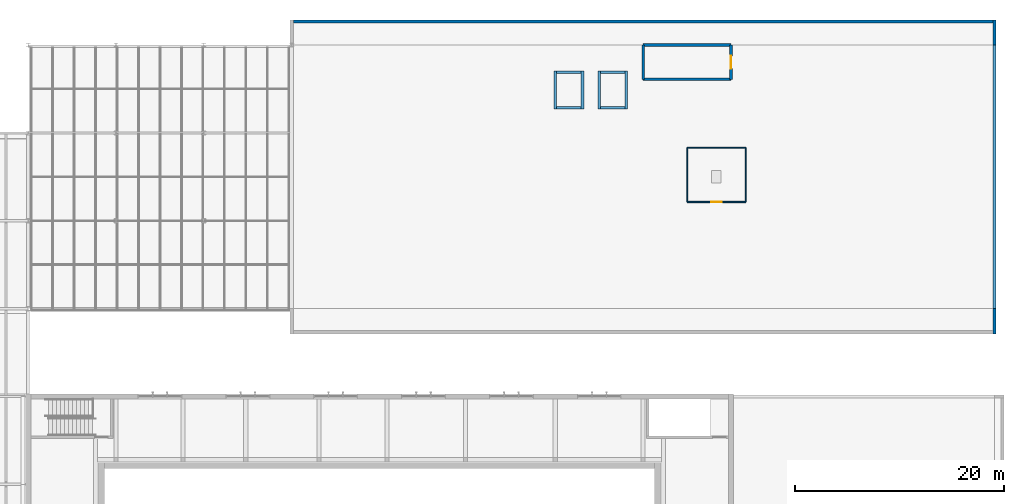
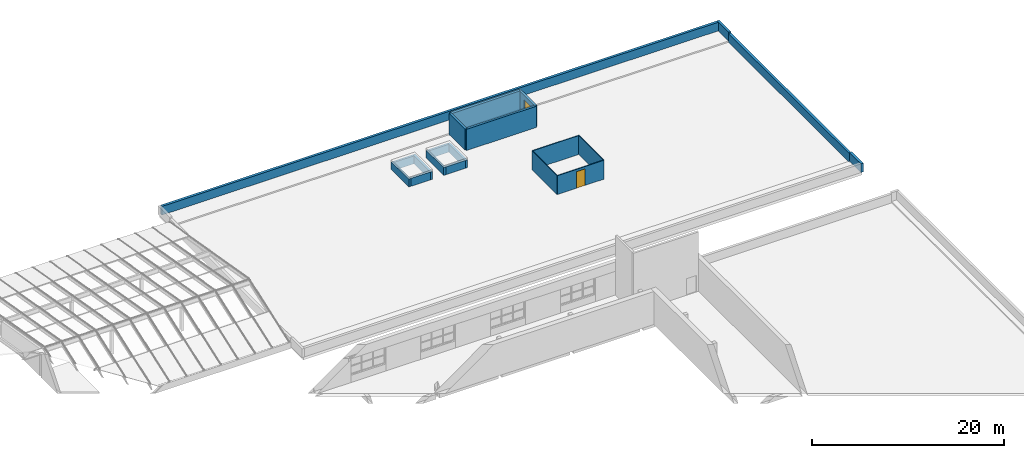
# One storey, part 45 of 60: 20 walls, 2 doors, 2 openings.
"""IFC4 building model written with IfcOpenShell, lengths in metres."""

from ifc_helpers import new_model, si_unit, direction, frame, frame_2d, origin, place, context, subcontext, project, spatial, rectangle, extrude, material, layer, layer_set, type_object, element, fill, save


model = new_model("IFC4")

# Units and contexts
model_context = context("Model", 3, precision=1e-05, world=origin(), true_north=direction((0.0, 1.0)))
body_context = subcontext(model_context, "Body", "Model", "MODEL_VIEW")
ifc_project = project(units=[si_unit("LENGTHUNIT", "METRE"), si_unit("AREAUNIT", "SQUARE_METRE"), si_unit("VOLUMEUNIT", "CUBIC_METRE"), si_unit("PLANEANGLEUNIT", "RADIAN"), si_unit("MASSUNIT", "GRAM", prefix="KILO")], contexts=[model_context])

# Site, building, storey
site_placement = place(None, origin())
site = spatial("IfcSite", under=ifc_project, at=site_placement, CompositionType="ELEMENT")
building_placement = place(site_placement, origin())
building = spatial("IfcBuilding", under=site, at=building_placement, Name="Ljudholm Concert House", CompositionType="ELEMENT")
storey_placement = place(building_placement, frame((0.0, 0.0, 15.0)))
storey = spatial("IfcBuildingStorey", under=building, at=storey_placement, Name="L03", CompositionType="ELEMENT", Elevation=15.0)

# Walls
ifc_material_1 = material(Name="Precast concrete 5,000 psi", Category="concrete")
ifc_layer_1 = layer(ifc_material_1, 0.300048828125)
ifc_layer_set_1 = layer_set([ifc_layer_1], Name="Precast concrete 5,000 psi")
wall_type_1 = type_object("IfcWallType", Name="PARAPET 300", PredefinedType="PARAPET", material=ifc_layer_set_1)
wall_1_placement = place(storey_placement, frame((121.60009765625, 102.39990234375, 0.169921875), z_axis=(0.0, 0.0, 1.0), x_axis=(0.0, 1.0, 0.0)))
element("IfcWall", 1, at=wall_1_placement, inside=storey, type_object=wall_type_1, Name="Parapet", PredefinedType="PARAPET", context=body_context, shape_type="SweptSolid", body=[
    extrude(rectangle(XDim=2.400146484375, YDim=0.300048828125, at=frame_2d((1.2001953125, 0.0))), origin(), (0.0, 0.0, 1.0), 1.10009765625),
])
wall_2_placement = place(storey_placement, frame((121.60009765625, 104.800048828125, 0.0), z_axis=(0.0, 0.0, 1.0), x_axis=(0.0, 1.0, 0.0)))
element("IfcWall", 2, at=wall_2_placement, inside=storey, type_object=wall_type_1, Name="Parapet", PredefinedType="PARAPET", context=body_context, shape_type="SweptSolid", body=[
    extrude(rectangle(XDim=25.199951171875, YDim=0.300048828125, at=frame_2d((12.60009765625, 0.0))), origin(), (0.0, 0.0, 1.0), 1.10009765625),
])
wall_3_placement = place(storey_placement, frame((121.60009765625, 130.0, 0.169921875), z_axis=(0.0, 0.0, 1.0), x_axis=(0.0, 1.0, 0.0)))
element("IfcWall", 3, at=wall_3_placement, inside=storey, type_object=wall_type_1, Name="Parapet", PredefinedType="PARAPET", context=body_context, shape_type="SweptSolid", body=[
    extrude(rectangle(XDim=2.39990234375, YDim=0.300048828125, at=frame_2d((1.199951171875, 0.0))), origin(), (0.0, 0.0, 1.0), 1.10009765625),
])
wall_4_placement = place(storey_placement, frame((54.550048828125, 132.25, 0.169921875), z_axis=(0.0, 0.0, 1.0), x_axis=(1.0, 0.0, 0.0)))
element("IfcWall", 4, at=wall_4_placement, inside=storey, type_object=wall_type_1, Name="Parapet", PredefinedType="PARAPET", context=body_context, shape_type="SweptSolid", body=[
    extrude(rectangle(XDim=66.89990234375, YDim=0.300048828125, at=frame_2d((33.449951171875, 0.0))), origin(), (0.0, 0.0, 1.0), 1.10009765625),
])
ifc_material_2 = material(Name="Concrete 6,500 psi", Category="concrete")
ifc_layer_2 = layer(ifc_material_2, 0.25)
ifc_layer_set_2 = layer_set([ifc_layer_2], Name="Concrete 6,500 psi")
wall_type_2 = type_object("IfcWallType", Name="RC CORE WALL 250 EXTERNAL", PredefinedType="SHEAR", material=ifc_layer_set_2)
wall_5_placement = place(storey_placement, frame((88.0, 126.72509765625, 0.0), z_axis=(0.0, 0.0, 1.0), x_axis=(1.0, 0.0, 0.0)))
element("IfcWall", 5, at=wall_5_placement, inside=storey, type_object=wall_type_2, Name="Stair head-house wall", PredefinedType="SHEAR", context=body_context, shape_type="SweptSolid", body=[
    extrude(rectangle(XDim=8.39990234375, YDim=0.25, at=frame_2d((4.199951171875, 0.0))), origin(), (0.0, 0.0, 1.0), 2.699951171875),
])
wall_6_placement = place(storey_placement, frame((88.0, 126.72509765625, 0.0), z_axis=(0.0, 0.0, 1.0), x_axis=(0.0, 1.0, 0.0)))
element("IfcWall", 6, at=wall_6_placement, inside=storey, type_object=wall_type_2, Name="Stair head-house wall", PredefinedType="SHEAR", context=body_context, shape_type="SweptSolid", body=[
    extrude(rectangle(XDim=3.27490234375, YDim=0.25, at=frame_2d((1.637451171875, 0.0))), origin(), (0.0, 0.0, 1.0), 2.699951171875),
])

# Wall, opening, door
wall_7_placement = place(storey_placement, frame((96.39990234375, 126.72509765625, 0.0), z_axis=(0.0, 0.0, 1.0), x_axis=(0.0, 1.0, 0.0)))
wall_7 = element("IfcWall", 7, at=wall_7_placement, inside=storey, type_object=wall_type_2, Name="Stair head-house wall", PredefinedType="SHEAR", context=body_context, shape_type="SweptSolid", body=[
    extrude(rectangle(XDim=3.27490234375, YDim=0.25, at=frame_2d((1.637451171875, 0.0))), origin(), (0.0, 0.0, 1.0), 2.699951171875),
])
opening_1_placement = place(wall_7_placement, frame((1.03759765625, 0.0, 0.0)))
opening_1 = element("IfcOpeningElement", 8, at=opening_1_placement, cuts=wall_7, Name="Opening D-R03-001", PredefinedType="OPENING", context=body_context, shape_type="SweptSolid", body=[
    extrude(rectangle(XDim=1.199951171875, YDim=2.10009765625, at=frame_2d((0.60009765625, 1.050048828125))), frame((0.0, 0.135009765625, 0.0), z_axis=(0.0, -1.0, 0.0), x_axis=(1.0, 0.0, 0.0)), (0.0, 0.0, 1.0), 0.27001953125),
])
ifc_material_3 = material(Name="Hollow metal door in steel frame", Category="steel")
door_type_1 = type_object("IfcDoorType", Name="SWING DOOR 1200x2100 EXTERNAL", OperationType="SINGLE_SWING_LEFT", PredefinedType="DOOR", material=ifc_material_3)
door_1_placement = place(opening_1_placement, frame((1.199951171875, 0.0, 0.0), z_axis=(0.0, 0.0, 1.0), x_axis=(-1.0, 0.0, 0.0)))
door_1 = element("IfcDoor", 9, at=door_1_placement, inside=storey, type_object=door_type_1, Name="Stair roof door", OperationType="SINGLE_SWING_RIGHT", OverallHeight=2.10009765625, OverallWidth=1.199951171875, PredefinedType="DOOR", context=body_context, shape_type="SweptSolid", body=[
    extrude(rectangle(XDim=1.199951171875, YDim=2.10009765625, at=frame_2d((0.60009765625, 1.050048828125))), frame((0.0, 0.02490234375, 0.0), z_axis=(0.0, -1.0, 0.0), x_axis=(1.0, 0.0, 0.0)), (0.0, 0.0, 1.0), 0.050048828125),
])
fill(opening_1, door_1)

# Walls
ifc_material_4 = material(Name="Concrete 6,500 psi", Category="concrete")
ifc_layer_3 = layer(ifc_material_4, 0.300048828125)
ifc_layer_set_3 = layer_set([ifc_layer_3], Name="Concrete 6,500 psi")
wall_type_3 = type_object("IfcWallType", Name="RC CORE WALL 300", PredefinedType="SHEAR", material=ifc_layer_set_3)
wall_8_placement = place(storey_placement, frame((88.0, 130.0, 0.0), z_axis=(0.0, 0.0, 1.0), x_axis=(1.0, 0.0, 0.0)))
element("IfcWall", 10, at=wall_8_placement, inside=storey, type_object=wall_type_3, Name="Stair head-house wall", PredefinedType="SHEAR", context=body_context, shape_type="SweptSolid", body=[
    extrude(rectangle(XDim=8.39990234375, YDim=0.300048828125, at=frame_2d((4.199951171875, 0.0))), origin(), (0.0, 0.0, 1.0), 2.699951171875),
])
ifc_material_5 = material(Name="Concrete 6,500 psi", Category="concrete")
ifc_layer_4 = layer(ifc_material_5, 0.25)
ifc_layer_set_4 = layer_set([ifc_layer_4], Name="Concrete 6,500 psi")
wall_type_4 = type_object("IfcWallType", Name="RC WALL 250", PredefinedType="SOLIDWALL", material=ifc_layer_set_4)
for number, where, z_axis, x_axis, name in (
    (11, (79.60009765625, 123.875, 0.0), (0.0, 0.0, 1.0), (0.0, 1.0, 0.0), "Lift shaft wall"),
    (12, (82.199951171875, 123.875, 0.0), (0.0, 0.0, 1.0), (0.0, 1.0, 0.0), "Lift shaft wall"),
):
    element("IfcWall", number, at=place(storey_placement, frame(where, z_axis=z_axis, x_axis=x_axis)), inside=storey, type_object=wall_type_4, Name=name, PredefinedType="SOLIDWALL", context=body_context, shape_type="SweptSolid", body=[
        extrude(rectangle(XDim=3.64990234375, YDim=0.25, at=frame_2d((1.824951171875, 0.0))), origin(), (0.0, 0.0, 1.0), 1.0),
    ])
for number, where, z_axis, x_axis, name in (
    (13, (79.72509765625, 124.0, 0.0), (0.0, 0.0, 1.0), (1.0, 0.0, 0.0), "Lift shaft wall"),
    (14, (79.72509765625, 127.39990234375, 0.0), (0.0, 0.0, 1.0), (1.0, 0.0, 0.0), "Lift shaft wall"),
):
    element("IfcWall", number, at=place(storey_placement, frame(where, z_axis=z_axis, x_axis=x_axis)), inside=storey, type_object=wall_type_4, Name=name, PredefinedType="SOLIDWALL", context=body_context, shape_type="SweptSolid", body=[
        extrude(rectangle(XDim=2.349853515625, YDim=0.25, at=frame_2d((1.1748046875, 0.0))), origin(), (0.0, 0.0, 1.0), 1.0),
    ])
for number, where, z_axis, x_axis, name in (
    (15, (83.800048828125, 123.875, 0.0), (0.0, 0.0, 1.0), (0.0, 1.0, 0.0), "Lift shaft wall"),
    (16, (86.39990234375, 123.875, 0.0), (0.0, 0.0, 1.0), (0.0, 1.0, 0.0), "Lift shaft wall"),
):
    element("IfcWall", number, at=place(storey_placement, frame(where, z_axis=z_axis, x_axis=x_axis)), inside=storey, type_object=wall_type_4, Name=name, PredefinedType="SOLIDWALL", context=body_context, shape_type="SweptSolid", body=[
        extrude(rectangle(XDim=3.64990234375, YDim=0.25, at=frame_2d((1.824951171875, 0.0))), origin(), (0.0, 0.0, 1.0), 1.0),
    ])
for number, where, z_axis, x_axis, name in (
    (17, (83.925048828125, 124.0, 0.0), (0.0, 0.0, 1.0), (1.0, 0.0, 0.0), "Lift shaft wall"),
    (18, (83.925048828125, 127.39990234375, 0.0), (0.0, 0.0, 1.0), (1.0, 0.0, 0.0), "Lift shaft wall"),
):
    element("IfcWall", number, at=place(storey_placement, frame(where, z_axis=z_axis, x_axis=x_axis)), inside=storey, type_object=wall_type_4, Name=name, PredefinedType="SOLIDWALL", context=body_context, shape_type="SweptSolid", body=[
        extrude(rectangle(XDim=2.349853515625, YDim=0.25, at=frame_2d((1.1748046875, 0.0))), origin(), (0.0, 0.0, 1.0), 1.0),
    ])

# Wall, opening, door
ifc_material_6 = material(Name="Aluminium cladding with timber-grain PVDF finish", Category="aluminium")
ifc_layer_5 = layer(ifc_material_6, 0.10009765625)
ifc_layer_set_5 = layer_set([ifc_layer_5], Name="Aluminium cladding with timber-grain PVDF finish")
wall_type_5 = type_object("IfcWallType", Name="TIMBER-GRAIN ALUMINIUM CLAD WALL 100", PredefinedType="SOLIDWALL", material=ifc_layer_set_5)
wall_9_placement = place(storey_placement, frame((92.199951171875, 115.0, 0.0), z_axis=(0.0, 0.0, 1.0), x_axis=(1.0, 0.0, 0.0)))
wall_9 = element("IfcWall", 19, at=wall_9_placement, inside=storey, type_object=wall_type_5, Name="Plant screen", PredefinedType="SOLIDWALL", context=body_context, shape_type="SweptSolid", body=[
    extrude(rectangle(XDim=5.60009765625, YDim=0.10009765625, at=frame_2d((2.800048828125, 0.0))), origin(), (0.0, 0.0, 1.0), 2.39990234375),
])
opening_2_placement = place(wall_9_placement, frame((2.300048828125, 0.0, 0.0)))
opening_2 = element("IfcOpeningElement", 20, at=opening_2_placement, cuts=wall_9, Name="Opening D-R03-002", PredefinedType="OPENING", context=body_context, shape_type="SweptSolid", body=[
    extrude(rectangle(XDim=1.0, YDim=2.10009765625, at=frame_2d((0.5, 1.050048828125))), frame((0.0, 0.06005859375, 0.0), z_axis=(0.0, -1.0, 0.0), x_axis=(1.0, 0.0, 0.0)), (0.0, 0.0, 1.0), 0.1201171875),
])
ifc_material_7 = material(Name="Hollow metal door in steel frame", Category="steel")
door_type_2 = type_object("IfcDoorType", Name="SWING DOOR 1000x2100 EXTERNAL", OperationType="SINGLE_SWING_LEFT", PredefinedType="DOOR", material=ifc_material_7)
door_2_placement = place(opening_2_placement, frame((1.0, 0.0, 0.0), z_axis=(0.0, 0.0, 1.0), x_axis=(-1.0, 0.0, 0.0)))
door_2 = element("IfcDoor", 21, at=door_2_placement, inside=storey, type_object=door_type_2, Name="Plant screen door", OperationType="SINGLE_SWING_RIGHT", OverallHeight=2.10009765625, OverallWidth=1.0, PredefinedType="DOOR", context=body_context, shape_type="SweptSolid", body=[
    extrude(rectangle(XDim=1.0, YDim=2.10009765625, at=frame_2d((0.5, 1.050048828125))), frame((0.0, 0.02490234375, 0.0), z_axis=(0.0, -1.0, 0.0), x_axis=(1.0, 0.0, 0.0)), (0.0, 0.0, 1.0), 0.050048828125),
])
fill(opening_2, door_2)

# Walls
wall_10_placement = place(storey_placement, frame((92.199951171875, 120.199951171875, 0.0), z_axis=(0.0, 0.0, 1.0), x_axis=(1.0, 0.0, 0.0)))
element("IfcWall", 22, at=wall_10_placement, inside=storey, type_object=wall_type_5, Name="Plant screen", PredefinedType="SOLIDWALL", context=body_context, shape_type="SweptSolid", body=[
    extrude(rectangle(XDim=5.60009765625, YDim=0.10009765625, at=frame_2d((2.800048828125, 0.0))), origin(), (0.0, 0.0, 1.0), 2.39990234375),
])
for number, where, z_axis, x_axis, name in (
    (23, (92.199951171875, 115.0, 0.0), (0.0, 0.0, 1.0), (0.0, 1.0, 0.0), "Plant screen"),
    (24, (97.800048828125, 115.0, 0.0), (0.0, 0.0, 1.0), (0.0, 1.0, 0.0), "Plant screen"),
):
    element("IfcWall", number, at=place(storey_placement, frame(where, z_axis=z_axis, x_axis=x_axis)), inside=storey, type_object=wall_type_5, Name=name, PredefinedType="SOLIDWALL", context=body_context, shape_type="SweptSolid", body=[
        extrude(rectangle(XDim=5.199951171875, YDim=0.10009765625, at=frame_2d((2.60009765625, 0.0))), origin(), (0.0, 0.0, 1.0), 2.39990234375),
    ])

save(model, "model.ifc")
